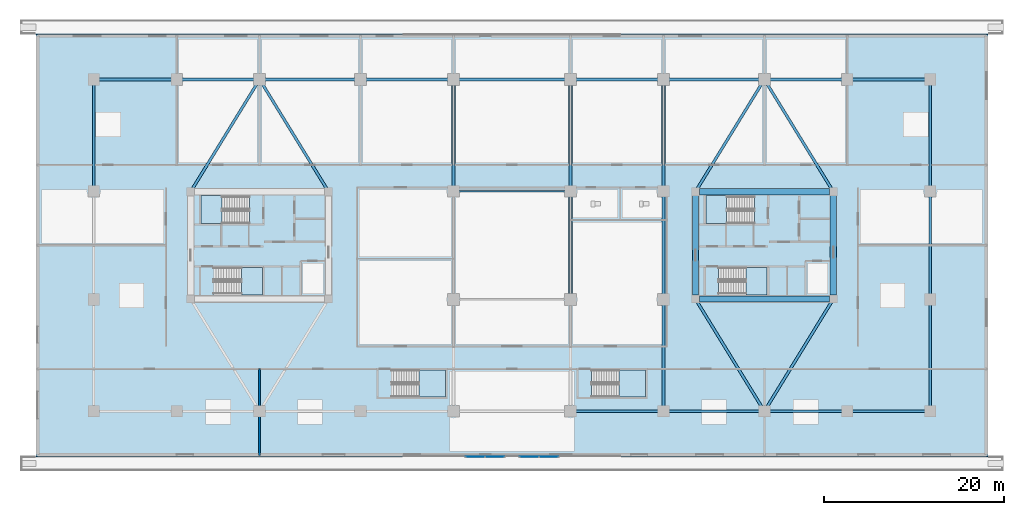
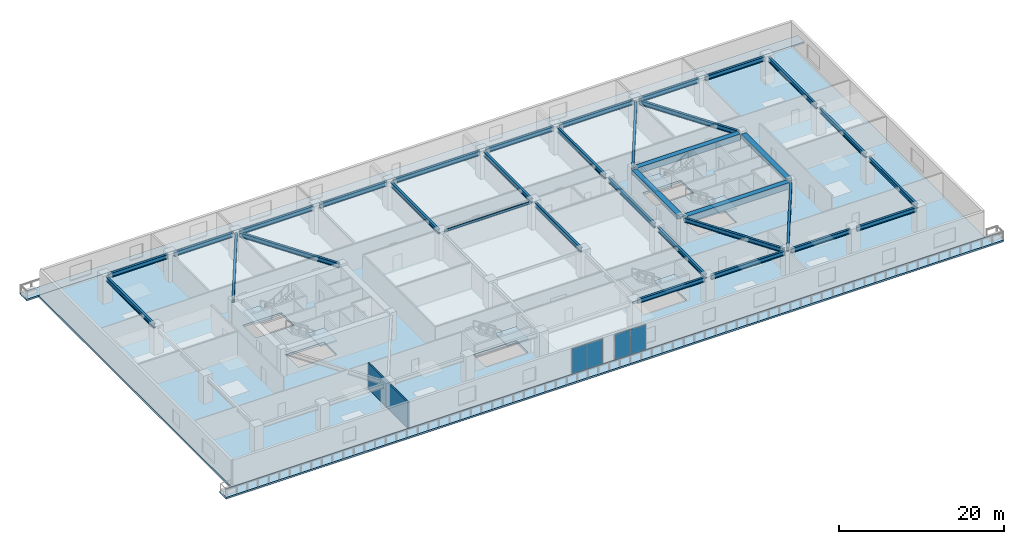
# One storey, part 3 of 22: 34 beams, 9 slabs, 4 plates, 1 wall, 8 elements without a shape of their own.
"""IFC4 building model written with IfcOpenShell, lengths in metres."""

import ifcopenshell
import ifcopenshell.guid

model = None  # the IFC model being written
_history = None  # IfcOwnerHistory: only IFC2X3 demands one
_inside = {}  # id of a spatial element -> (the spatial element, [elements in it])
_under = {}  # id of a project, library or spatial element -> (it, [spatial elements below it])
_declared = {}  # id of a project -> (the project, [libraries it declares])
_typed = {}  # id of a type object -> (the type object, [elements of that type])
_made_of = {}  # id of a material, layer set ... -> (it, [elements and type objects made of it])


def new_model(schema):
    """Start an empty IFC model of exactly this schema.

    Asked for "IFC4X3", IfcOpenShell would pick the latest addendum, in which some entities
    have other attributes; the version numbers below select the first issue.
    IFC2X3 requires an IfcOwnerHistory on every rooted entity: one is made here for all.
    """
    global model, _history
    if schema == "IFC4X3":
        model = ifcopenshell.file(schema_version=(4, 3, 0, 0))
    else:
        model = ifcopenshell.file(schema=schema)
    _inside.clear()
    _under.clear()
    _declared.clear()
    _typed.clear()
    _made_of.clear()
    _history = None
    if model.schema == "IFC2X3":
        org = make("IfcOrganization", Name="unknown")
        user = make(
            "IfcPersonAndOrganization",
            ThePerson=make("IfcPerson", FamilyName="unknown"),
            TheOrganization=org,
        )
        app = make(
            "IfcApplication",
            ApplicationDeveloper=org,
            Version="unknown",
            ApplicationFullName="unknown",
            ApplicationIdentifier="unknown",
        )
        _history = make(
            "IfcOwnerHistory",
            OwningUser=user,
            OwningApplication=app,
            ChangeAction="ADDED",
            CreationDate=0,
        )
    return model


def make(cls, **values):
    """One entity of the class cls with the attributes given. An attribute that is None is left unset."""
    return model.create_entity(
        cls, **{name: value for name, value in values.items() if value is not None}
    )


def rooted(cls, **values):
    """An entity with a GlobalId (a new one), such as an element, a storey or a relation."""
    return make(cls, GlobalId=ifcopenshell.guid.new(), OwnerHistory=_history, **values)


def si_unit(unit_type, name, prefix=None):
    """IfcSIUnit, for example si_unit("LENGTHUNIT", "METRE", prefix="MILLI")."""
    return make("IfcSIUnit", UnitType=unit_type, Prefix=prefix, Name=name)


def assignment(units):
    """IfcUnitAssignment: the units of a project."""
    return None if units is None else make("IfcUnitAssignment", Units=units)


def point(xyz):
    """IfcCartesianPoint."""
    return None if xyz is None else make("IfcCartesianPoint", Coordinates=xyz)


def direction(xyz):
    """IfcDirection."""
    return None if xyz is None else make("IfcDirection", DirectionRatios=xyz)


def frame(location, z_axis=None, x_axis=None):
    """IfcAxis2Placement3D, a coordinate frame: its origin and axes. An axis left out is left unset."""
    return make(
        "IfcAxis2Placement3D",
        Location=point(location),
        Axis=direction(z_axis),
        RefDirection=direction(x_axis),
    )


def frame_2d(location, x_axis=None):
    """IfcAxis2Placement2D, a coordinate frame in the plane: its origin and x axis."""
    return make(
        "IfcAxis2Placement2D", Location=point(location), RefDirection=direction(x_axis)
    )


def origin():
    """The frame at (0, 0, 0) with its axes left unset."""
    return frame((0.0, 0.0, 0.0))


def origin_2d():
    """The frame at (0, 0) in the plane with its x axis left unset."""
    return frame_2d((0.0, 0.0))


def place(relative_to, where):
    """IfcLocalPlacement: puts the frame where relative to a parent placement (None: the world)."""
    return make(
        "IfcLocalPlacement", PlacementRelTo=relative_to, RelativePlacement=where
    )


def context(
    kind, dimensions, precision=None, world=None, true_north=None, identifier=None
):
    """IfcGeometricRepresentationContext, for example the 3D "Model" context."""
    return make(
        "IfcGeometricRepresentationContext",
        ContextIdentifier=identifier,
        ContextType=kind,
        CoordinateSpaceDimension=dimensions,
        Precision=precision,
        WorldCoordinateSystem=world,
        TrueNorth=true_north,
    )


def subcontext(parent, identifier, kind, view, scale=None):
    """IfcGeometricRepresentationSubContext, for example "Body" below "Model"."""
    return make(
        "IfcGeometricRepresentationSubContext",
        ContextIdentifier=identifier,
        ContextType=kind,
        ParentContext=parent,
        TargetScale=scale,
        TargetView=view,
    )


def project(units=None, contexts=None):
    """IfcProject with its units and contexts."""
    return rooted(
        "IfcProject",
        Name="project",
        RepresentationContexts=contexts,
        UnitsInContext=assignment(units),
    )


def spatial(cls, under=None, at=None, **own):
    """A site, building, storey or space (cls), placed at a placement, below another one or the project."""
    s = rooted(cls, ObjectPlacement=at, **own)
    if under is not None:
        _under.setdefault(under.id(), (under, []))[1].append(s)
    return s


def polyline(points):
    """IfcPolyline through the points."""
    return make("IfcPolyline", Points=[point(p) for p in points])


def profile(cls, at=None, kind="AREA", **sizes):
    """A parametric profile (cls). Its sizes go by their IFC names, for example OverallWidth=200.0."""
    return make(cls, ProfileType=kind, Position=at, **sizes)


def rectangle(**sizes):
    """IfcRectangleProfileDef."""
    return profile("IfcRectangleProfileDef", **sizes)


def i_section(**sizes):
    """IfcIShapeProfileDef."""
    return profile("IfcIShapeProfileDef", **sizes)


def outline(outer, holes=None, kind="AREA"):
    """IfcArbitraryClosedProfileDef: a profile drawn as a closed curve; with holes, ...WithVoids."""
    if holes is None:
        return make("IfcArbitraryClosedProfileDef", ProfileType=kind, OuterCurve=outer)
    return make(
        "IfcArbitraryProfileDefWithVoids",
        ProfileType=kind,
        OuterCurve=outer,
        InnerCurves=holes,
    )


def extrude(swept, where, along, depth):
    """IfcExtrudedAreaSolid: the profile swept, set in the frame where, extruded along a direction by depth."""
    return make(
        "IfcExtrudedAreaSolid",
        SweptArea=swept,
        Position=where,
        ExtrudedDirection=direction(along),
        Depth=depth,
    )


def shape(context_of_items, identifier, shape_type, items):
    """IfcShapeRepresentation: the items that make up one representation, for example the "Body"."""
    return make(
        "IfcShapeRepresentation",
        ContextOfItems=context_of_items,
        RepresentationIdentifier=identifier,
        RepresentationType=shape_type,
        Items=items,
    )


def source(mapping_origin, context_of_items, identifier, shape_type, items):
    """IfcRepresentationMap: a shape defined once, which mapped items show again and again."""
    return make(
        "IfcRepresentationMap",
        MappingOrigin=mapping_origin,
        MappedRepresentation=shape(context_of_items, identifier, shape_type, items),
    )


def transform(
    local_origin,
    x_axis=None,
    y_axis=None,
    z_axis=None,
    scale=None,
    scale2=None,
    scale3=None,
    uniform=True,
):
    """IfcCartesianTransformationOperator3D, or its non-uniform kind. x_axis, y_axis, z_axis: its Axis1, 2, 3."""
    if uniform:
        return make(
            "IfcCartesianTransformationOperator3D",
            Axis1=direction(x_axis),
            Axis2=direction(y_axis),
            LocalOrigin=point(local_origin),
            Scale=scale,
            Axis3=direction(z_axis),
        )
    return make(
        "IfcCartesianTransformationOperator3DnonUniform",
        Axis1=direction(x_axis),
        Axis2=direction(y_axis),
        LocalOrigin=point(local_origin),
        Scale=scale,
        Axis3=direction(z_axis),
        Scale2=scale2,
        Scale3=scale3,
    )


def mapped(mapping_source, mapping_target):
    """IfcMappedItem: shows the shape of a source again, moved by a transform."""
    return make(
        "IfcMappedItem", MappingSource=mapping_source, MappingTarget=mapping_target
    )


def material(Name=None, Category=None):
    """IfcMaterial."""
    return make("IfcMaterial", Name=Name, Category=Category)


def layer(
    of_material, thickness, ventilated=None, Name=None, Category=None, Priority=None
):
    """IfcMaterialLayer: one layer of a wall or slab, of a material (None: an air gap)."""
    return make(
        "IfcMaterialLayer",
        Material=of_material,
        LayerThickness=thickness,
        IsVentilated=ventilated,
        Name=Name,
        Category=Category,
        Priority=Priority,
    )


def layer_set(layers, Name=None):
    """IfcMaterialLayerSet."""
    return make("IfcMaterialLayerSet", MaterialLayers=layers, LayerSetName=Name)


def material_profile(
    of_material, cross_section, Name=None, Category=None, Priority=None
):
    """IfcMaterialProfile: a cross section and its material."""
    return make(
        "IfcMaterialProfile",
        Name=Name,
        Material=of_material,
        Profile=cross_section,
        Priority=Priority,
        Category=Category,
    )


def profile_set(profiles, Name=None, composite=None):
    """IfcMaterialProfileSet."""
    return make(
        "IfcMaterialProfileSet",
        Name=Name,
        MaterialProfiles=profiles,
        CompositeProfile=composite,
    )


def made_of(thing, what):
    """Note that an element or type object is made of a material, layer set ...; save() writes the relation."""
    if what is not None:
        _made_of.setdefault(what.id(), (what, []))[1].append(thing)
    return thing


def type_object(cls, material=None, **own):
    """A type object (cls), such as IfcWallType, which elements share."""
    return made_of(rooted(cls, **own), material)


def type_shapes(of_type, sources):
    """Give a type object the sources (RepresentationMaps) that its elements show as mapped items."""
    of_type.RepresentationMaps = sources


def element(
    cls,
    number,
    at=None,
    inside=None,
    cuts=None,
    type_object=None,
    material=None,
    context=None,
    identifier="Body",
    shape_type=None,
    held_by="IfcProductDefinitionShape",
    body=None,
    shapes=None,
    **own,
):
    """One element of the class cls, such as IfcWall. Its Tag is "e" and its number.

    at: its placement. inside: the storey or other place that contains it. cuts: it is an
    opening in that element (IfcRelVoidsElement). A single representation is given by context,
    identifier, shape_type and body (its items); several are given by shapes. held_by: the class
    of the entity that holds the representations. save() writes the other relations.
    """
    e = rooted(cls, Tag="e%d" % number, ObjectPlacement=at, **own)
    if body is not None:
        shapes = [shape(context, identifier, shape_type, body)]
    if shapes is not None:
        e.Representation = make(held_by, Representations=shapes)
    if inside is not None:
        _inside.setdefault(inside.id(), (inside, []))[1].append(e)
    if cuts is not None:
        rooted(
            "IfcRelVoidsElement", RelatingBuildingElement=cuts, RelatedOpeningElement=e
        )
    if type_object is not None:
        _typed.setdefault(type_object.id(), (type_object, []))[1].append(e)
    return made_of(e, material)


def aggregate(whole, parts):
    """IfcRelAggregates: a whole, such as a stair, and the parts it consists of."""
    return rooted("IfcRelAggregates", RelatingObject=whole, RelatedObjects=parts)


def save(model, path):
    """Write the relations noted so far, then the file.

    IfcRelAggregates (storeys below a building ...), IfcRelContainedInSpatialStructure (elements
    in a storey), IfcRelDefinesByType, IfcRelAssociatesMaterial and IfcRelDeclares: one each for
    every whole, place, type object, material and project.
    """
    for whole, parts in _under.values():
        aggregate(whole, parts)
    for where, things in _inside.values():
        rooted(
            "IfcRelContainedInSpatialStructure",
            RelatedElements=things,
            RelatingStructure=where,
        )
    for kind, things in _typed.values():
        rooted("IfcRelDefinesByType", RelatedObjects=things, RelatingType=kind)
    for what, things in _made_of.values():
        rooted("IfcRelAssociatesMaterial", RelatedObjects=things, RelatingMaterial=what)
    for by, libraries in _declared.values():
        rooted("IfcRelDeclares", RelatingContext=by, RelatedDefinitions=libraries)
    model.write(path)


model = new_model("IFC4")

# Units and contexts
model_context = context("Model", 3, precision=1e-05, world=origin(), true_north=direction((0.0, 1.0)))
body_context = subcontext(model_context, "Body", "Model", "MODEL_VIEW")
ifc_project = project(units=[si_unit("LENGTHUNIT", "METRE"), si_unit("AREAUNIT", "SQUARE_METRE"), si_unit("VOLUMEUNIT", "CUBIC_METRE"), si_unit("PLANEANGLEUNIT", "RADIAN"), si_unit("MASSUNIT", "GRAM", prefix="KILO")], contexts=[model_context])

# Site, building, storey
site_placement = place(None, origin())
site = spatial("IfcSite", under=ifc_project, at=site_placement, CompositionType="ELEMENT")
building_placement = place(site_placement, origin())
building = spatial("IfcBuilding", under=site, at=building_placement, Name="Norrkilde Senior Care Towers", CompositionType="ELEMENT")
storey_placement = place(building_placement, frame((0.0, 0.0, 4.199951171875)))
storey = spatial("IfcBuildingStorey", under=building, at=storey_placement, Name="L01", CompositionType="ELEMENT", Elevation=4.199951171875)

# Beams
ifc_material_1 = material(Name="Concrete C60/75", Category="concrete")
ifc_material_profile_1 = material_profile(ifc_material_1, rectangle(XDim=0.699951171875, YDim=0.89990234375, at=origin_2d()), Name="RC BM 700x900")
ifc_profile_set_1 = profile_set([ifc_material_profile_1], Name="Concrete C60/75")
beam_type_1 = type_object("IfcBeamType", Name="Core Coupling Girder 700x900", PredefinedType="USERDEFINED", material=ifc_profile_set_1)
shared_shape_1 = source(origin(), body_context, "Body", "SweptSolid", [
    extrude(rectangle(XDim=0.699951171875, YDim=0.89990234375, at=origin_2d()), origin(), (0.0, 0.0, 1.0), 14.43994140625),
])
type_shapes(beam_type_1, [shared_shape_1])
for number, where, z_axis, x_axis, name in (
    (1, (20.780029296875, 5.949951171875, 3.429931640625), (1.0, 0.0, 0.0), (0.0, 1.0, 0.0), "L01 Core E N Coupling Girder"),
    (2, (20.780029296875, -5.949951171875, 3.429931640625), (1.0, 0.0, 0.0), (0.0, 1.0, 0.0), "L01 Core E S Coupling Girder"),
):
    element("IfcBeam", number, at=place(storey_placement, frame(where, z_axis=z_axis, x_axis=x_axis)), inside=storey, type_object=beam_type_1, Name=name, ObjectType="GIRDER", PredefinedType="USERDEFINED", context=body_context, shape_type="MappedRepresentation", body=[
        mapped(shared_shape_1, transform((0.0, 0.0, 0.0), x_axis=(1.0, 0.0, 0.0), y_axis=(0.0, 1.0, 0.0), z_axis=(0.0, 0.0, 1.0), scale=1.0)),
    ])
ifc_material_profile_2 = material_profile(ifc_material_1, rectangle(XDim=0.699951171875, YDim=0.550048828125, at=origin_2d()), Name="RC BM 700x550")
ifc_profile_set_2 = profile_set([ifc_material_profile_2], Name="Concrete C60/75")
beam_type_2 = type_object("IfcBeamType", Name="Core Portal Coupling Beam 700x550", PredefinedType="USERDEFINED", material=ifc_profile_set_2)
shared_shape_2 = source(origin(), body_context, "Body", "SweptSolid", [
    extrude(rectangle(XDim=0.699951171875, YDim=0.550048828125, at=origin_2d()), origin(), (0.0, 0.0, 1.0), 11.0400390625),
])
type_shapes(beam_type_2, [shared_shape_2])
for number, where, z_axis, x_axis, name in (
    (3, (20.35009765625, -5.52001953125, 3.60498046875), (0.0, 1.0, 0.0), (-1.0, 0.0, 0.0), "L01 Core E W Coupling Girder"),
    (4, (35.64990234375, -5.52001953125, 3.60498046875), (0.0, 1.0, 0.0), (-1.0, 0.0, 0.0), "L01 Core E E Coupling Girder"),
):
    element("IfcBeam", number, at=place(storey_placement, frame(where, z_axis=z_axis, x_axis=x_axis)), inside=storey, type_object=beam_type_2, Name=name, ObjectType="GIRDER", PredefinedType="USERDEFINED", context=body_context, shape_type="MappedRepresentation", body=[
        mapped(shared_shape_2, transform((0.0, 0.0, 0.0), x_axis=(1.0, 0.0, 0.0), y_axis=(0.0, 1.0, 0.0), z_axis=(0.0, 0.0, 1.0), scale=1.0)),
    ])
ifc_material_2 = material(Name="Steel S355", Category="steel")
ifc_material_profile_3 = material_profile(ifc_material_2, i_section(OverallWidth=0.159912109375, OverallDepth=0.330078125, WebThickness=0.007568359375, FlangeThickness=0.011474609375, FilletRadius=0.01806640625, at=origin_2d()), Name="IPE 330")
ifc_profile_set_3 = profile_set([ifc_material_profile_3], Name="Steel S355")
beam_type_3 = type_object("IfcBeamType", Name="Podium Deck Joist IPE330", PredefinedType="JOIST", material=ifc_profile_set_3)
shared_shape_3 = source(origin(), body_context, "Body", "SweptSolid", [
    extrude(i_section(OverallWidth=0.159912109375, OverallDepth=0.330078125, WebThickness=0.007568359375, FlangeThickness=0.011474609375, FilletRadius=0.01806640625, at=origin_2d()), origin(), (0.0, 0.0, 1.0), 12.0),
])
type_shapes(beam_type_3, [shared_shape_3])
beam_1_placement = place(storey_placement, frame((-6.0, 6.0, 3.715087890625), z_axis=(1.0, 0.0, 0.0), x_axis=(0.0, 1.0, 0.0)))
element("IfcBeam", 5, at=beam_1_placement, inside=storey, type_object=beam_type_3, Name="L01 Podium Central Span Beam 2", PredefinedType="JOIST", context=body_context, shape_type="MappedRepresentation", body=[
    mapped(shared_shape_3, transform((0.0, 0.0, 0.0), x_axis=(1.0, 0.0, 0.0), y_axis=(0.0, 1.0, 0.0), z_axis=(0.0, 0.0, 1.0), scale=1.0)),
])
ifc_material_profile_4 = material_profile(ifc_material_2, i_section(OverallWidth=0.300048828125, OverallDepth=0.64990234375, WebThickness=0.01611328125, FlangeThickness=0.031005859375, FilletRadius=0.027099609375, at=origin_2d()), Name="HEB 650")
ifc_profile_set_4 = profile_set([ifc_material_profile_4], Name="Steel S355")
beam_type_4 = type_object("IfcBeamType", Name="Podium Primary Beam HEB650", PredefinedType="BEAM", material=ifc_profile_set_4)
shared_shape_4 = source(origin(), body_context, "Body", "SweptSolid", [
    extrude(i_section(OverallWidth=0.300048828125, OverallDepth=0.64990234375, WebThickness=0.01611328125, FlangeThickness=0.031005859375, FilletRadius=0.027099609375, at=origin_2d()), origin(), (0.0, 0.0, 1.0), 8.300048828125),
])
for number, where, z_axis, x_axis, name in (
    (6, (28.449951171875, -18.39990234375, 3.554931640625), (1.0, 0.0, 0.0), (0.0, 1.0, 0.0), "L01 Podium E-W Frame Beam 1.8"),
    (7, (37.64990234375, -18.39990234375, 3.554931640625), (1.0, 0.0, 0.0), (0.0, 1.0, 0.0), "L01 Podium E-W Frame Beam 1.9"),
    (8, (-45.949951171875, 18.39990234375, 3.554931640625), (1.0, 0.0, 0.0), (0.0, 1.0, 0.0), "L01 Podium E-W Frame Beam 2.1"),
    (9, (-36.75, 18.39990234375, 3.554931640625), (1.0, 0.0, 0.0), (0.0, 1.0, 0.0), "L01 Podium E-W Frame Beam 2.2"),
    (10, (28.449951171875, 18.39990234375, 3.554931640625), (1.0, 0.0, 0.0), (0.0, 1.0, 0.0), "L01 Podium E-W Frame Beam 2.8"),
    (11, (37.64990234375, 18.39990234375, 3.554931640625), (1.0, 0.0, 0.0), (0.0, 1.0, 0.0), "L01 Podium E-W Frame Beam 2.9"),
):
    element("IfcBeam", number, at=place(storey_placement, frame(where, z_axis=z_axis, x_axis=x_axis)), inside=storey, type_object=beam_type_4, Name=name, PredefinedType="BEAM", context=body_context, shape_type="MappedRepresentation", body=[
        mapped(shared_shape_4, transform((0.0, 0.0, 0.0), x_axis=(1.0, 0.0, 0.0), y_axis=(0.0, 1.0, 0.0), z_axis=(0.0, 0.0, 1.0), scale=1.0)),
    ])
shared_shape_5 = source(origin(), body_context, "Body", "SweptSolid", [
    extrude(i_section(OverallWidth=0.300048828125, OverallDepth=0.64990234375, WebThickness=0.01611328125, FlangeThickness=0.031005859375, FilletRadius=0.027099609375, at=origin_2d()), origin(), (0.0, 0.0, 1.0), 10.300048828125),
])
for number, where, z_axis, x_axis, name in (
    (12, (17.25, -18.39990234375, 3.554931640625), (1.0, 0.0, 0.0), (0.0, 1.0, 0.0), "L01 Podium E-W Frame Beam 1.7"),
    (13, (-27.550048828125, 18.39990234375, 3.554931640625), (1.0, 0.0, 0.0), (0.0, 1.0, 0.0), "L01 Podium E-W Frame Beam 2.3"),
    (14, (17.25, 18.39990234375, 3.554931640625), (1.0, 0.0, 0.0), (0.0, 1.0, 0.0), "L01 Podium E-W Frame Beam 2.7"),
):
    element("IfcBeam", number, at=place(storey_placement, frame(where, z_axis=z_axis, x_axis=x_axis)), inside=storey, type_object=beam_type_4, Name=name, PredefinedType="BEAM", context=body_context, shape_type="MappedRepresentation", body=[
        mapped(shared_shape_5, transform((0.0, 0.0, 0.0), x_axis=(1.0, 0.0, 0.0), y_axis=(0.0, 1.0, 0.0), z_axis=(0.0, 0.0, 1.0), scale=1.0)),
    ])
shared_shape_6 = source(origin(), body_context, "Body", "SweptSolid", [
    extrude(i_section(OverallWidth=0.300048828125, OverallDepth=0.64990234375, WebThickness=0.01611328125, FlangeThickness=0.031005859375, FilletRadius=0.027099609375, at=origin_2d()), origin(), (0.0, 0.0, 1.0), 9.400146484375),
])
for number, where, z_axis, x_axis, name in (
    (15, (6.949951171875, -18.39990234375, 3.554931640625), (1.0, 0.0, 0.0), (0.0, 1.0, 0.0), "L01 Podium E-W Frame Beam 1.6"),
    (16, (-16.35009765625, 18.39990234375, 3.554931640625), (1.0, 0.0, 0.0), (0.0, 1.0, 0.0), "L01 Podium E-W Frame Beam 2.4"),
    (17, (6.949951171875, 18.39990234375, 3.554931640625), (1.0, 0.0, 0.0), (0.0, 1.0, 0.0), "L01 Podium E-W Frame Beam 2.6"),
):
    element("IfcBeam", number, at=place(storey_placement, frame(where, z_axis=z_axis, x_axis=x_axis)), inside=storey, type_object=beam_type_4, Name=name, PredefinedType="BEAM", context=body_context, shape_type="MappedRepresentation", body=[
        mapped(shared_shape_6, transform((0.0, 0.0, 0.0), x_axis=(1.0, 0.0, 0.0), y_axis=(0.0, 1.0, 0.0), z_axis=(0.0, 0.0, 1.0), scale=1.0)),
    ])
shared_shape_7 = source(origin(), body_context, "Body", "SweptSolid", [
    extrude(i_section(OverallWidth=0.300048828125, OverallDepth=0.64990234375, WebThickness=0.01611328125, FlangeThickness=0.031005859375, FilletRadius=0.027099609375, at=origin_2d()), origin(), (0.0, 0.0, 1.0), 12.10009765625),
])
beam_2_placement = place(storey_placement, frame((-6.050048828125, 18.39990234375, 3.554931640625), z_axis=(1.0, 0.0, 0.0), x_axis=(0.0, 1.0, 0.0)))
element("IfcBeam", 18, at=beam_2_placement, inside=storey, type_object=beam_type_4, Name="L01 Podium E-W Frame Beam 2.5", PredefinedType="BEAM", context=body_context, shape_type="MappedRepresentation", body=[
    mapped(shared_shape_7, transform((0.0, 0.0, 0.0), x_axis=(1.0, 0.0, 0.0), y_axis=(0.0, 1.0, 0.0), z_axis=(0.0, 0.0, 1.0), scale=1.0)),
])
shared_shape_8 = source(origin(), body_context, "Body", "SweptSolid", [
    extrude(i_section(OverallWidth=0.300048828125, OverallDepth=0.64990234375, WebThickness=0.01611328125, FlangeThickness=0.031005859375, FilletRadius=0.027099609375, at=origin_2d()), origin(), (0.0, 0.0, 1.0), 11.5),
])
for number, where, z_axis, x_axis, name in (
    (19, (-46.39990234375, 6.449951171875, 3.554931640625), (0.0, 1.0, 0.0), (-1.0, 0.0, 0.0), "L01 Podium N-S Frame Beam 1.3"),
    (20, (-6.5, 6.449951171875, 3.554931640625), (0.0, 1.0, 0.0), (-1.0, 0.0, 0.0), "L01 Podium N-S Frame Beam 2.3"),
    (21, (6.5, 6.449951171875, 3.554931640625), (0.0, 1.0, 0.0), (-1.0, 0.0, 0.0), "L01 Podium N-S Frame Beam 3.3"),
    (22, (16.800048828125, -17.949951171875, 3.554931640625), (0.0, 1.0, 0.0), (-1.0, 0.0, 0.0), "L01 Podium N-S Frame Beam 4.1"),
    (23, (16.800048828125, 6.449951171875, 3.554931640625), (0.0, 1.0, 0.0), (-1.0, 0.0, 0.0), "L01 Podium N-S Frame Beam 4.3"),
    (24, (46.39990234375, -17.949951171875, 3.554931640625), (0.0, 1.0, 0.0), (-1.0, 0.0, 0.0), "L01 Podium N-S Frame Beam 5.1"),
    (25, (46.39990234375, 6.449951171875, 3.554931640625), (0.0, 1.0, 0.0), (-1.0, 0.0, 0.0), "L01 Podium N-S Frame Beam 5.3"),
):
    element("IfcBeam", number, at=place(storey_placement, frame(where, z_axis=z_axis, x_axis=x_axis)), inside=storey, type_object=beam_type_4, Name=name, PredefinedType="BEAM", context=body_context, shape_type="MappedRepresentation", body=[
        mapped(shared_shape_8, transform((0.0, 0.0, 0.0), x_axis=(1.0, 0.0, 0.0), y_axis=(0.0, 1.0, 0.0), z_axis=(0.0, 0.0, 1.0), scale=1.0)),
    ])
shared_shape_9 = source(origin(), body_context, "Body", "SweptSolid", [
    extrude(i_section(OverallWidth=0.300048828125, OverallDepth=0.64990234375, WebThickness=0.01611328125, FlangeThickness=0.031005859375, FilletRadius=0.027099609375, at=origin_2d()), origin(), (0.0, 0.0, 1.0), 11.10009765625),
])
for number, where, z_axis, x_axis, name in (
    (26, (6.5, -5.550048828125, 3.554931640625), (0.0, 1.0, 0.0), (-1.0, 0.0, 0.0), "L01 Podium N-S Frame Beam 3.2"),
    (27, (16.800048828125, -5.550048828125, 3.554931640625), (0.0, 1.0, 0.0), (-1.0, 0.0, 0.0), "L01 Podium N-S Frame Beam 4.2"),
    (28, (46.39990234375, -5.550048828125, 3.554931640625), (0.0, 1.0, 0.0), (-1.0, 0.0, 0.0), "L01 Podium N-S Frame Beam 5.2"),
):
    element("IfcBeam", number, at=place(storey_placement, frame(where, z_axis=z_axis, x_axis=x_axis)), inside=storey, type_object=beam_type_4, Name=name, PredefinedType="BEAM", context=body_context, shape_type="MappedRepresentation", body=[
        mapped(shared_shape_9, transform((0.0, 0.0, 0.0), x_axis=(1.0, 0.0, 0.0), y_axis=(0.0, 1.0, 0.0), z_axis=(0.0, 0.0, 1.0), scale=1.0)),
    ])
shared_shape_10 = source(origin(), body_context, "Body", "SweptSolid", [
    extrude(i_section(OverallWidth=0.300048828125, OverallDepth=0.64990234375, WebThickness=0.01611328125, FlangeThickness=0.031005859375, FilletRadius=0.027099609375, at=origin_2d()), origin(), (0.0, 0.0, 1.0), 13.742431640625),
])
type_shapes(beam_type_4, [shared_shape_4, shared_shape_5, shared_shape_6, shared_shape_7, shared_shape_8, shared_shape_9, shared_shape_10])
for number, where, z_axis, x_axis, name in (
    (29, (-28.235595703125, 18.0166015625, 3.554931640625), (-0.523527368138, -0.852008858411, 0.0), (0.852008858411, -0.523527368138, 0.0), "L01 Core W Tie Beam 3"),
    (30, (-27.764404296875, 18.0166015625, 3.554931640625), (0.523527368138, -0.852008858411, 0.0), (0.852008858411, 0.523527368138, 0.0), "L01 Core W Tie Beam 4"),
    (31, (27.764404296875, -18.0166015625, 3.554931640625), (-0.523527368138, 0.852008858411, 0.0), (-0.852008858411, -0.523527368138, 0.0), "L01 Core E Tie Beam 1"),
    (32, (28.235595703125, -18.0166015625, 3.554931640625), (0.523527368138, 0.852008858411, 0.0), (-0.852008858411, 0.523527368138, 0.0), "L01 Core E Tie Beam 2"),
    (33, (27.764404296875, 18.0166015625, 3.554931640625), (-0.523527368138, -0.852008858411, 0.0), (0.852008858411, -0.523527368138, 0.0), "L01 Core E Tie Beam 3"),
    (34, (28.235595703125, 18.0166015625, 3.554931640625), (0.523527368138, -0.852008858411, 0.0), (0.852008858411, 0.523527368138, 0.0), "L01 Core E Tie Beam 4"),
):
    element("IfcBeam", number, at=place(storey_placement, frame(where, z_axis=z_axis, x_axis=x_axis)), inside=storey, type_object=beam_type_4, Name=name, PredefinedType="BEAM", context=body_context, shape_type="MappedRepresentation", body=[
        mapped(shared_shape_10, transform((0.0, 0.0, 0.0), x_axis=(1.0, 0.0, 0.0), y_axis=(0.0, 1.0, 0.0), z_axis=(0.0, 0.0, 1.0), scale=1.0)),
    ])

# Slabs
ifc_material_3 = material(Name="Concrete C45/55", Category="concrete")
ifc_layer_1 = layer(ifc_material_3, 0.22998046875)
ifc_layer_set_1 = layer_set([ifc_layer_1], Name="Concrete C45/55")
slab_type_1 = type_object("IfcSlabType", Name="Cascading Garden Terrace Slab 230", PredefinedType="FLOOR", material=ifc_layer_set_1)
slab_1_placement = place(storey_placement, frame((0.0, 0.0, -0.22998046875)))
element("IfcSlab", 35, at=slab_1_placement, inside=storey, type_object=slab_type_1, Name="L01 S Cascading Rehabilitation Garden Terrace", PredefinedType="FLOOR", context=body_context, shape_type="SweptSolid", body=[
    extrude(outline(polyline([(-54.5, -25.0), (54.5, -25.0), (54.5, -23.405029296875), (-54.5, -23.405029296875), (-54.5, -25.0)])), origin(), (0.0, 0.0, 1.0), 0.22998046875),
])
slab_2_placement = place(storey_placement, frame((0.0, 0.0, -0.22998046875)))
element("IfcSlab", 36, at=slab_2_placement, inside=storey, type_object=slab_type_1, Name="L01 N Cascading Rehabilitation Garden Terrace", PredefinedType="FLOOR", context=body_context, shape_type="SweptSolid", body=[
    extrude(outline(polyline([(-54.5, 23.405029296875), (54.5, 23.405029296875), (54.5, 25.0), (-54.5, 25.0), (-54.5, 23.405029296875)])), origin(), (0.0, 0.0, 1.0), 0.22998046875),
])
ifc_material_4 = material(Name="Concrete C50/60", Category="concrete")
ifc_layer_2 = layer(ifc_material_4, 0.320068359375)
ifc_layer_set_2 = layer_set([ifc_layer_2], Name="Concrete C50/60")
slab_type_2 = type_object("IfcSlabType", Name="Podium Clinic Floor Slab 320", PredefinedType="FLOOR", material=ifc_layer_set_2)
slab_3_placement = place(storey_placement, frame((0.0, 0.0, -0.320068359375)))
element("IfcSlab", 37, at=slab_3_placement, inside=storey, type_object=slab_type_2, Name="L01 Structural Podium Slab", PredefinedType="FLOOR", context=body_context, shape_type="SweptSolid", body=[
    extrude(outline(polyline([(-52.800048828125, 23.39990234375), (52.800048828125, 23.39990234375), (52.800048828125, -23.39990234375), (-52.800048828125, -23.39990234375), (-52.800048828125, 23.39990234375)]), holes=[polyline([(-34.48193359375, 2.468017578125), (-29.117919921875, 2.468017578125), (-29.117919921875, 5.52490234375), (-34.48193359375, 5.52490234375), (-34.48193359375, 2.468017578125)]), polyline([(-27.718017578125, -5.52490234375), (-27.718017578125, -2.468017578125), (-33.08203125, -2.468017578125), (-33.08203125, -5.52490234375), (-27.718017578125, -5.52490234375)]), polyline([(26.882080078125, 5.52490234375), (21.51806640625, 5.52490234375), (21.51806640625, 2.468017578125), (26.882080078125, 2.468017578125), (26.882080078125, 5.52490234375)]), polyline([(22.91796875, -2.468017578125), (22.91796875, -5.52490234375), (28.281982421875, -5.52490234375), (28.281982421875, -2.468017578125), (22.91796875, -2.468017578125)]), polyline([(-7.41796875, -13.867919921875), (-13.382080078125, -13.867919921875), (-13.382080078125, -16.781982421875), (-7.41796875, -16.781982421875), (-7.41796875, -13.867919921875)]), polyline([(14.781982421875, -16.781982421875), (14.781982421875, -13.867919921875), (8.818115234375, -13.867919921875), (8.818115234375, -16.781982421875), (14.781982421875, -16.781982421875)])]), origin(), (0.0, 0.0, 1.0), 0.320068359375),
])

# Stair, slab
stair_type = type_object("IfcStairType", Name="Core Protected Dogleg Stair Podium 4200", PredefinedType="HALF_TURN_STAIR", material=ifc_material_3)
stair_1_placement = place(storey_placement, origin())
stair_1 = element("IfcStair", 38, at=stair_1_placement, inside=storey, type_object=stair_type, Name="L01 Protected Core Stair W1", PredefinedType="HALF_TURN_STAIR")
ifc_layer_3 = layer(ifc_material_3, 0.199951171875)
ifc_layer_set_3 = layer_set([ifc_layer_3], Name="Concrete C45/55")
slab_type_3 = type_object("IfcSlabType", Name="Stair Landing Slab 200", PredefinedType="LANDING", material=ifc_layer_set_3)
slab_4_placement = place(storey_placement, frame((0.0, 0.0, 1.900146484375)))
slab_4 = element("IfcSlab", 39, at=slab_4_placement, type_object=slab_type_3, Name="ST-W1 landing 1", PredefinedType="LANDING", context=body_context, shape_type="SweptSolid", body=[
    extrude(outline(polyline([(-32.179931640625, 5.52490234375), (-34.5, 5.52490234375), (-34.5, 2.449951171875), (-32.179931640625, 2.449951171875), (-32.179931640625, 5.52490234375)])), origin(), (0.0, 0.0, 1.0), 0.199951171875),
])
aggregate(stair_1, [slab_4])

stair_2_placement = place(storey_placement, origin())
stair_2 = element("IfcStair", 40, at=stair_2_placement, inside=storey, type_object=stair_type, Name="L01 Protected Core Stair W2", PredefinedType="HALF_TURN_STAIR")
slab_5_placement = place(storey_placement, frame((0.0, 0.0, 1.900146484375)))
slab_5 = element("IfcSlab", 41, at=slab_5_placement, type_object=slab_type_3, Name="ST-W2 landing 1", PredefinedType="LANDING", context=body_context, shape_type="SweptSolid", body=[
    extrude(outline(polyline([(-30.02001953125, -5.52490234375), (-27.699951171875, -5.52490234375), (-27.699951171875, -2.449951171875), (-30.02001953125, -2.449951171875), (-30.02001953125, -5.52490234375)])), origin(), (0.0, 0.0, 1.0), 0.199951171875),
])
aggregate(stair_2, [slab_5])

stair_3_placement = place(storey_placement, origin())
stair_3 = element("IfcStair", 42, at=stair_3_placement, inside=storey, type_object=stair_type, Name="L01 Protected Core Stair E1", PredefinedType="HALF_TURN_STAIR")
slab_6_placement = place(storey_placement, frame((0.0, 0.0, 1.900146484375)))
slab_6 = element("IfcSlab", 43, at=slab_6_placement, type_object=slab_type_3, Name="ST-E1 landing 1", PredefinedType="LANDING", context=body_context, shape_type="SweptSolid", body=[
    extrude(outline(polyline([(23.820068359375, 5.52490234375), (21.5, 5.52490234375), (21.5, 2.449951171875), (23.820068359375, 2.449951171875), (23.820068359375, 5.52490234375)])), origin(), (0.0, 0.0, 1.0), 0.199951171875),
])
aggregate(stair_3, [slab_6])

stair_4_placement = place(storey_placement, origin())
stair_4 = element("IfcStair", 44, at=stair_4_placement, inside=storey, type_object=stair_type, Name="L01 Protected Core Stair E2", PredefinedType="HALF_TURN_STAIR")
slab_7_placement = place(storey_placement, frame((0.0, 0.0, 1.900146484375)))
slab_7 = element("IfcSlab", 45, at=slab_7_placement, type_object=slab_type_3, Name="ST-E2 landing 1", PredefinedType="LANDING", context=body_context, shape_type="SweptSolid", body=[
    extrude(outline(polyline([(25.97998046875, -5.52490234375), (28.300048828125, -5.52490234375), (28.300048828125, -2.449951171875), (25.97998046875, -2.449951171875), (25.97998046875, -5.52490234375)])), origin(), (0.0, 0.0, 1.0), 0.199951171875),
])
aggregate(stair_4, [slab_7])

stair_5_placement = place(storey_placement, origin())
stair_5 = element("IfcStair", 46, at=stair_5_placement, inside=storey, type_object=stair_type, Name="L01 Podium Clinic Exit Stair P1", PredefinedType="HALF_TURN_STAIR")
slab_8_placement = place(storey_placement, frame((0.0, 0.0, 1.900146484375)))
slab_8 = element("IfcSlab", 47, at=slab_8_placement, type_object=slab_type_3, Name="ST-P1 landing 1", PredefinedType="LANDING", context=body_context, shape_type="SweptSolid", body=[
    extrude(outline(polyline([(-10.320068359375, -16.800048828125), (-7.39990234375, -16.800048828125), (-7.39990234375, -13.85009765625), (-10.320068359375, -13.85009765625), (-10.320068359375, -16.800048828125)])), origin(), (0.0, 0.0, 1.0), 0.199951171875),
])
aggregate(stair_5, [slab_8])

stair_6_placement = place(storey_placement, origin())
stair_6 = element("IfcStair", 48, at=stair_6_placement, inside=storey, type_object=stair_type, Name="L01 Podium Clinic Exit Stair P2", PredefinedType="HALF_TURN_STAIR")
slab_9_placement = place(storey_placement, frame((0.0, 0.0, 1.900146484375)))
slab_9 = element("IfcSlab", 49, at=slab_9_placement, type_object=slab_type_3, Name="ST-P2 landing 1", PredefinedType="LANDING", context=body_context, shape_type="SweptSolid", body=[
    extrude(outline(polyline([(11.8798828125, -16.800048828125), (14.800048828125, -16.800048828125), (14.800048828125, -13.85009765625), (11.8798828125, -13.85009765625), (11.8798828125, -16.800048828125)])), origin(), (0.0, 0.0, 1.0), 0.199951171875),
])
aggregate(stair_6, [slab_9])

# Curtain wall, plates
ifc_material_5 = material(Name="Triple Low-E Insulated Glazing", Category="glass")
ifc_layer_4 = layer(ifc_material_5, 0.219970703125)
ifc_layer_set_4 = layer_set([ifc_layer_4], Name="Triple Low-E Insulated Glazing")
curtain_wall_type = type_object("IfcCurtainWallType", Name="CW1 Podium Clinic Terracotta Curtain Wall", PredefinedType="NOTDEFINED", material=ifc_layer_set_4)
curtain_wall_1_placement = place(storey_placement, origin())
curtain_wall_1 = element("IfcCurtainWall", 50, at=curtain_wall_1_placement, inside=storey, type_object=curtain_wall_type, Name="L01 Podium Portal Feature Curtain Wall 1", PredefinedType="NOTDEFINED")
ifc_layer_5 = layer(ifc_material_5, 0.035888671875)
ifc_layer_set_5 = layer_set([ifc_layer_5], Name="Triple Low-E Insulated Glazing")
plate_type = type_object("IfcPlateType", Name="Triple Low-E Vision Curtain Panel 36", PredefinedType="CURTAIN_PANEL", material=ifc_layer_set_5)
shared_shape_11 = source(origin(), body_context, "Body", "SweptSolid", [
    extrude(rectangle(XDim=2.094970703125, YDim=0.035888671875, at=origin_2d()), origin(), (0.0, 0.0, 1.0), 3.75),
])
type_shapes(plate_type, [shared_shape_11])
plate_1_placement = place(storey_placement, frame((-1.91748046875, -23.4599609375, 0.06494140625), z_axis=(0.0, 0.0, 1.0), x_axis=(-1.0, 0.0, 0.0)))
plate_1 = element("IfcPlate", 51, at=plate_1_placement, type_object=plate_type, Name="CW-1 panel 1.1", PredefinedType="CURTAIN_PANEL", context=body_context, shape_type="MappedRepresentation", body=[
    mapped(shared_shape_11, transform((0.0, 0.0, 0.0), x_axis=(1.0, 0.0, 0.0), y_axis=(0.0, 1.0, 0.0), z_axis=(0.0, 0.0, 1.0), scale=1.0)),
])
plate_2_placement = place(storey_placement, frame((-4.08251953125, -23.4599609375, 0.06494140625), z_axis=(0.0, 0.0, 1.0), x_axis=(-1.0, 0.0, 0.0)))
plate_2 = element("IfcPlate", 52, at=plate_2_placement, type_object=plate_type, Name="CW-1 panel 2.1", PredefinedType="CURTAIN_PANEL", context=body_context, shape_type="MappedRepresentation", body=[
    mapped(shared_shape_11, transform((0.0, 0.0, 0.0), x_axis=(1.0, 0.0, 0.0), y_axis=(0.0, 1.0, 0.0), z_axis=(0.0, 0.0, 1.0), scale=1.0)),
])
aggregate(curtain_wall_1, [plate_1, plate_2])

curtain_wall_2_placement = place(storey_placement, origin())
curtain_wall_2 = element("IfcCurtainWall", 53, at=curtain_wall_2_placement, inside=storey, type_object=curtain_wall_type, Name="L01 Podium Portal Feature Curtain Wall 2", PredefinedType="NOTDEFINED")
plate_3_placement = place(storey_placement, frame((4.08251953125, -23.4599609375, 0.06494140625), z_axis=(0.0, 0.0, 1.0), x_axis=(-1.0, 0.0, 0.0)))
plate_3 = element("IfcPlate", 54, at=plate_3_placement, type_object=plate_type, Name="CW-1 panel 1.1", PredefinedType="CURTAIN_PANEL", context=body_context, shape_type="MappedRepresentation", body=[
    mapped(shared_shape_11, transform((0.0, 0.0, 0.0), x_axis=(1.0, 0.0, 0.0), y_axis=(0.0, 1.0, 0.0), z_axis=(0.0, 0.0, 1.0), scale=1.0)),
])
plate_4_placement = place(storey_placement, frame((1.91748046875, -23.4599609375, 0.06494140625), z_axis=(0.0, 0.0, 1.0), x_axis=(-1.0, 0.0, 0.0)))
plate_4 = element("IfcPlate", 55, at=plate_4_placement, type_object=plate_type, Name="CW-1 panel 2.1", PredefinedType="CURTAIN_PANEL", context=body_context, shape_type="MappedRepresentation", body=[
    mapped(shared_shape_11, transform((0.0, 0.0, 0.0), x_axis=(1.0, 0.0, 0.0), y_axis=(0.0, 1.0, 0.0), z_axis=(0.0, 0.0, 1.0), scale=1.0)),
])
aggregate(curtain_wall_2, [plate_3, plate_4])

# Wall
ifc_material_6 = material(Name="Gypsum Acoustic Board")
ifc_layer_6 = layer(ifc_material_6, 0.18994140625)
ifc_layer_set_6 = layer_set([ifc_layer_6], Name="Gypsum Acoustic Board")
wall_type = type_object("IfcWallType", Name="Unit Demising Acoustic Wall 190", PredefinedType="PARTITIONING", material=ifc_layer_set_6)
shared_shape_12 = source(origin(), body_context, "Body", "SweptSolid", [
    extrude(rectangle(XDim=9.60009765625, YDim=0.18994140625, at=frame_2d((4.800048828125, 0.0))), origin(), (0.0, 0.0, 1.0), 3.864990234375),
])
type_shapes(wall_type, [shared_shape_12])
wall_placement = place(storey_placement, frame((-28.0, -23.300048828125, 0.0), z_axis=(0.0, 0.0, 1.0), x_axis=(0.0, 1.0, 0.0)))
element("IfcWall", 56, at=wall_placement, inside=storey, type_object=wall_type, Name="WL-INT-L01-POD-SWD", PredefinedType="PARTITIONING", context=body_context, shape_type="MappedRepresentation", body=[
    mapped(shared_shape_12, transform((0.0, 0.0, 0.0), x_axis=(1.0, 0.0, 0.0), y_axis=(0.0, 1.0, 0.0), z_axis=(0.0, 0.0, 1.0), scale=1.0)),
])

save(model, "model.ifc")
